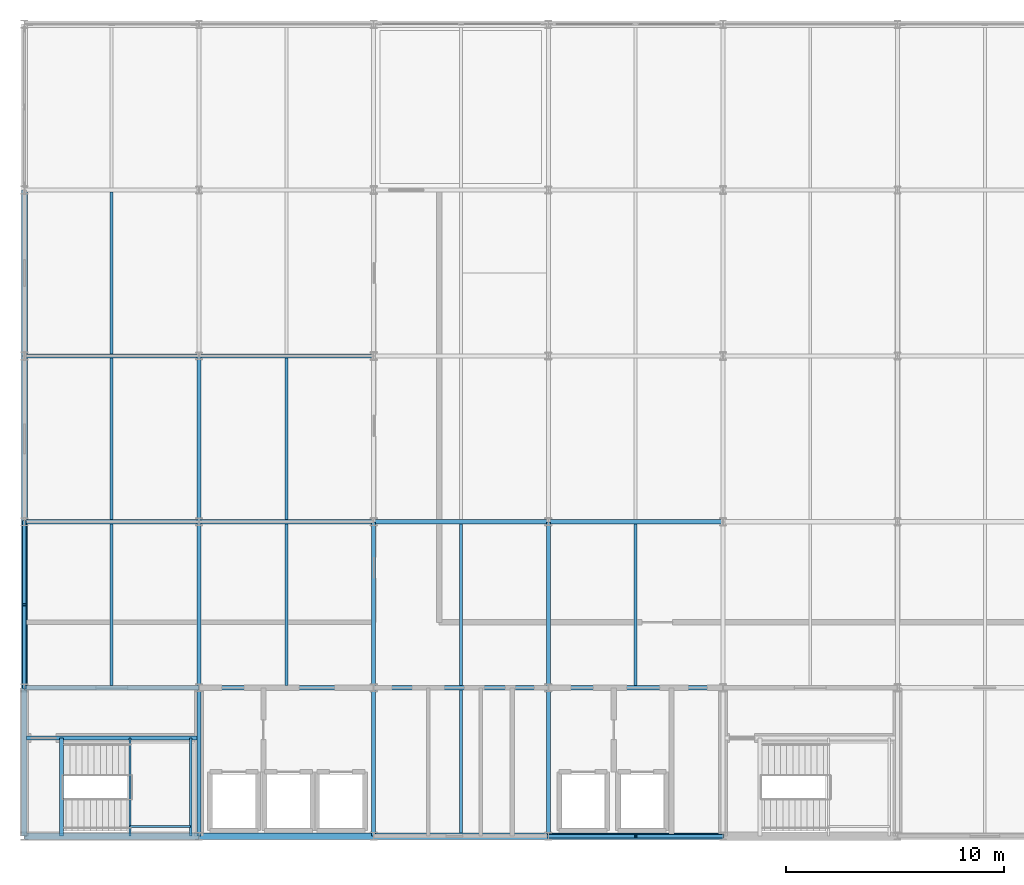
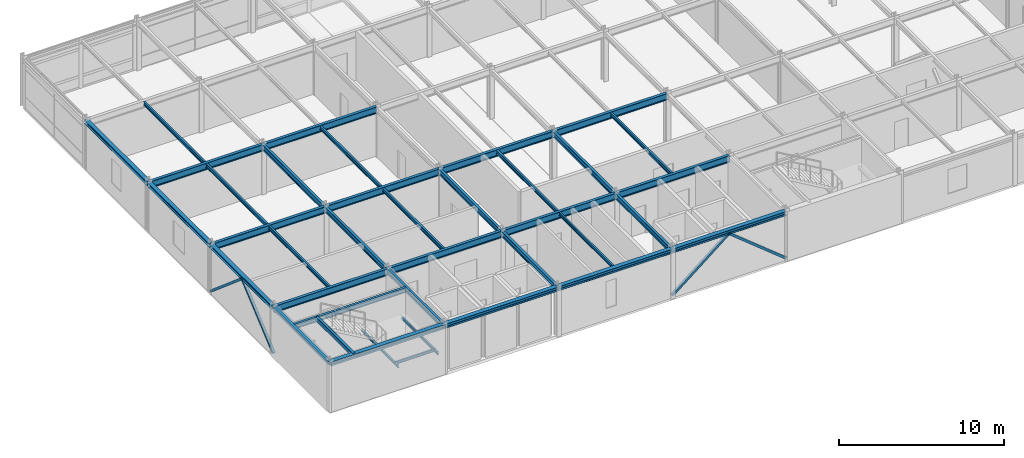
# One storey, part 4 of 16: 38 beams, 4 members.
"""IFC4 building model written with IfcOpenShell, lengths in metres."""

from ifc_helpers import new_model, si_unit, direction, frame, origin, origin_2d, place, context, subcontext, project, spatial, hollow_rectangle, i_section, extrude, material, material_profile, profile_set, type_object, element, save


model = new_model("IFC4")

# Units and contexts
model_context = context("Model", 3, precision=1e-05, world=origin(), true_north=direction((0.0, 1.0)))
body_context = subcontext(model_context, "Body", "Model", "MODEL_VIEW")
ifc_project = project(units=[si_unit("LENGTHUNIT", "METRE"), si_unit("AREAUNIT", "SQUARE_METRE"), si_unit("VOLUMEUNIT", "CUBIC_METRE"), si_unit("PLANEANGLEUNIT", "RADIAN"), si_unit("MASSUNIT", "GRAM", prefix="KILO")], contexts=[model_context])

# Site, building, storey
site_placement = place(None, origin())
site = spatial("IfcSite", under=ifc_project, at=site_placement, CompositionType="ELEMENT")
building_placement = place(site_placement, origin())
building = spatial("IfcBuilding", under=site, at=building_placement, Name="Shalkamar Park Central Library", CompositionType="ELEMENT")
storey_placement = place(building_placement, frame((0.0, 0.0, 43.800048828125)))
storey = spatial("IfcBuildingStorey", under=building, at=storey_placement, Name="L11", CompositionType="ELEMENT", Elevation=43.800048828125)

# Beams
ifc_material = material(Name="Steel S355", Category="steel")
ifc_material_profile_1 = material_profile(ifc_material, i_section(OverallWidth=0.10009765625, OverallDepth=0.199951171875, WebThickness=0.005615234375, FlangeThickness=0.008544921875, FilletRadius=0.011962890625, at=origin_2d()), Name="IPE 200")
ifc_profile_set_1 = profile_set([ifc_material_profile_1], Name="Steel S355")
beam_type_1 = type_object("IfcBeamType", Name="Composite Floor Joist IPE200", PredefinedType="JOIST", material=ifc_profile_set_1)
for number, where, z_axis, x_axis, name in (
    (1, (169.840087890625, 248.39990234375, 1.570068359375), (0.0, 1.0, 0.0), (-1.0, 0.0, 0.0), "Stair Half-Landing Beam ST-T1-L11-1"),
    (2, (172.6201171875, 248.39990234375, 1.570068359375), (0.0, 1.0, 0.0), (-1.0, 0.0, 0.0), "Stair Half-Landing Beam ST-T1-L11-2"),
):
    element("IfcBeam", number, at=place(storey_placement, frame(where, z_axis=z_axis, x_axis=x_axis)), inside=storey, type_object=beam_type_1, Name=name, PredefinedType="JOIST", context=body_context, shape_type="SweptSolid", body=[
        extrude(i_section(OverallWidth=0.10009765625, OverallDepth=0.199951171875, WebThickness=0.005615234375, FlangeThickness=0.008544921875, FilletRadius=0.011962890625, at=origin_2d()), origin(), (0.0, 0.0, 1.0), 4.5),
    ])
beam_1_placement = place(storey_placement, frame((169.840087890625, 248.85009765625, 1.570068359375), z_axis=(1.0, 0.0, 0.0), x_axis=(0.0, 1.0, 0.0)))
element("IfcBeam", 3, at=beam_1_placement, inside=storey, type_object=beam_type_1, Name="Stair Half-Landing Cross Tie ST-T1-L11-3", PredefinedType="JOIST", context=body_context, shape_type="SweptSolid", body=[
    extrude(i_section(OverallWidth=0.10009765625, OverallDepth=0.199951171875, WebThickness=0.005615234375, FlangeThickness=0.008544921875, FilletRadius=0.011962890625, at=origin_2d()), origin(), (0.0, 0.0, 1.0), 2.780029296875),
])
ifc_material_profile_2 = material_profile(ifc_material, i_section(OverallWidth=0.1201171875, OverallDepth=0.239990234375, WebThickness=0.006103515625, FlangeThickness=0.009765625, FilletRadius=0.014892578125, at=origin_2d()), Name="IPE 240")
ifc_profile_set_2 = profile_set([ifc_material_profile_2], Name="Steel S355")
beam_type_2 = type_object("IfcBeamType", Name="Composite Floor Joist IPE240", PredefinedType="JOIST", material=ifc_profile_set_2)
beam_2_placement = place(storey_placement, frame((185.0, 248.548095703125, 3.56005859375), z_axis=(0.0, 1.0, 0.0), x_axis=(-1.0, 0.0, 0.0)))
element("IfcBeam", 4, at=beam_2_placement, inside=storey, type_object=beam_type_2, Name="Composite Joist 09/B-1 (L11)", PredefinedType="JOIST", context=body_context, shape_type="SweptSolid", body=[
    extrude(i_section(OverallWidth=0.1201171875, OverallDepth=0.239990234375, WebThickness=0.006103515625, FlangeThickness=0.009765625, FilletRadius=0.014892578125, at=origin_2d()), origin(), (0.0, 0.0, 1.0), 6.553955078125),
])
ifc_material_profile_3 = material_profile(ifc_material, i_section(OverallWidth=0.135009765625, OverallDepth=0.27001953125, WebThickness=0.006591796875, FlangeThickness=0.01025390625, FilletRadius=0.014892578125, at=origin_2d()), Name="IPE 270")
ifc_profile_set_3 = profile_set([ifc_material_profile_3], Name="Steel S355")
beam_type_3 = type_object("IfcBeamType", Name="Composite Floor Joist IPE270", PredefinedType="JOIST", material=ifc_profile_set_3)
beam_3_placement = place(storey_placement, frame((169.0, 255.298095703125, 3.544921875), z_axis=(0.0, 1.0, 0.0), x_axis=(-1.0, 0.0, 0.0)))
element("IfcBeam", 5, at=beam_3_placement, inside=storey, type_object=beam_type_3, Name="Composite Joist 07/C-1 (L11)", PredefinedType="JOIST", context=body_context, shape_type="SweptSolid", body=[
    extrude(i_section(OverallWidth=0.135009765625, OverallDepth=0.27001953125, WebThickness=0.006591796875, FlangeThickness=0.01025390625, FilletRadius=0.014892578125, at=origin_2d()), origin(), (0.0, 0.0, 1.0), 7.40380859375),
])
for number, where, z_axis, x_axis, name in (
    (6, (169.0, 262.89794921875, 3.544921875), (0.0, 1.0, 0.0), (-1.0, 0.0, 0.0), "Composite Joist 07/D-1 (L11)"),
    (7, (169.0, 270.498046875, 3.544921875), (0.0, 1.0, 0.0), (-1.0, 0.0, 0.0), "Composite Joist 07/E-1 (L11)"),
):
    element("IfcBeam", number, at=place(storey_placement, frame(where, z_axis=z_axis, x_axis=x_axis)), inside=storey, type_object=beam_type_3, Name=name, PredefinedType="JOIST", context=body_context, shape_type="SweptSolid", body=[
        extrude(i_section(OverallWidth=0.135009765625, OverallDepth=0.27001953125, WebThickness=0.006591796875, FlangeThickness=0.01025390625, FilletRadius=0.014892578125, at=origin_2d()), origin(), (0.0, 0.0, 1.0), 7.404052734375),
    ])
beam_4_placement = place(storey_placement, frame((177.0, 255.298095703125, 3.544921875), z_axis=(0.0, 1.0, 0.0), x_axis=(-1.0, 0.0, 0.0)))
element("IfcBeam", 8, at=beam_4_placement, inside=storey, type_object=beam_type_3, Name="Composite Joist 08/C-1 (L11)", PredefinedType="JOIST", context=body_context, shape_type="SweptSolid", body=[
    extrude(i_section(OverallWidth=0.135009765625, OverallDepth=0.27001953125, WebThickness=0.006591796875, FlangeThickness=0.01025390625, FilletRadius=0.014892578125, at=origin_2d()), origin(), (0.0, 0.0, 1.0), 7.40380859375),
])
beam_5_placement = place(storey_placement, frame((177.0, 262.89794921875, 3.544921875), z_axis=(0.0, 1.0, 0.0), x_axis=(-1.0, 0.0, 0.0)))
element("IfcBeam", 9, at=beam_5_placement, inside=storey, type_object=beam_type_3, Name="Composite Joist 08/D-1 (L11)", PredefinedType="JOIST", context=body_context, shape_type="SweptSolid", body=[
    extrude(i_section(OverallWidth=0.135009765625, OverallDepth=0.27001953125, WebThickness=0.006591796875, FlangeThickness=0.01025390625, FilletRadius=0.014892578125, at=origin_2d()), origin(), (0.0, 0.0, 1.0), 7.404052734375),
])
for number, where, z_axis, x_axis, name in (
    (10, (185.0, 255.298095703125, 3.544921875), (0.0, 1.0, 0.0), (-1.0, 0.0, 0.0), "Composite Joist 09/C-1 (L11)"),
    (11, (193.0, 255.298095703125, 3.544921875), (0.0, 1.0, 0.0), (-1.0, 0.0, 0.0), "Composite Joist 10/C-1 (L11)"),
):
    element("IfcBeam", number, at=place(storey_placement, frame(where, z_axis=z_axis, x_axis=x_axis)), inside=storey, type_object=beam_type_3, Name=name, PredefinedType="JOIST", context=body_context, shape_type="SweptSolid", body=[
        extrude(i_section(OverallWidth=0.135009765625, OverallDepth=0.27001953125, WebThickness=0.006591796875, FlangeThickness=0.01025390625, FilletRadius=0.014892578125, at=origin_2d()), origin(), (0.0, 0.0, 1.0), 7.40380859375),
    ])

# Members
ifc_material_profile_4 = material_profile(ifc_material, hollow_rectangle(XDim=0.179931640625, YDim=0.179931640625, WallThickness=0.010009765625, InnerFilletRadius=0.010009765625, OuterFilletRadius=0.014892578125, at=origin_2d()), Name="SHS 180x180x10")
ifc_profile_set_4 = profile_set([ifc_material_profile_4], Name="Steel S355")
member_type = type_object("IfcMemberType", Name="Diagonal Brace SHS180", PredefinedType="BRACE", material=ifc_profile_set_4)
for number, where, z_axis, x_axis, name in (
    (12, (165.0, 255.199951171875, 0.14990234375), (0.0, 0.761945356857, 0.647641315208), (-1.0, 0.0, 0.0), "Chevron Brace TW-W Leg A (L11)"),
    (13, (165.0, 262.800048828125, 0.14990234375), (0.0, -0.761945356857, 0.647641315208), (1.0, 0.0, 0.0), "Chevron Brace TW-W Leg B (L11)"),
):
    element("IfcMember", number, at=place(storey_placement, frame(where, z_axis=z_axis, x_axis=x_axis)), inside=storey, type_object=member_type, Name=name, PredefinedType="BRACE", context=body_context, shape_type="SweptSolid", body=[
        extrude(hollow_rectangle(XDim=0.179931640625, YDim=0.179931640625, WallThickness=0.010009765625, InnerFilletRadius=0.010009765625, OuterFilletRadius=0.014892578125, at=origin_2d()), origin(), (0.0, 0.0, 1.0), 4.9873046875),
    ])
for number, where, z_axis, x_axis, name in (
    (14, (189.0, 248.39990234375, 0.14990234375), (0.778016166517, 0.0, 0.628244255555), (0.0, 1.0, 0.0), "Chevron Brace TW-S Leg A (L11)"),
    (15, (197.0, 248.39990234375, 0.14990234375), (-0.778016166517, 0.0, 0.628244255555), (0.0, -1.0, 0.0), "Chevron Brace TW-S Leg B (L11)"),
):
    element("IfcMember", number, at=place(storey_placement, frame(where, z_axis=z_axis, x_axis=x_axis)), inside=storey, type_object=member_type, Name=name, PredefinedType="BRACE", context=body_context, shape_type="SweptSolid", body=[
        extrude(hollow_rectangle(XDim=0.179931640625, YDim=0.179931640625, WallThickness=0.010009765625, InnerFilletRadius=0.010009765625, OuterFilletRadius=0.014892578125, at=origin_2d()), origin(), (0.0, 0.0, 1.0), 5.141357421875),
    ])

# Beams
ifc_material_profile_5 = material_profile(ifc_material, i_section(OverallWidth=0.239990234375, OverallDepth=0.22998046875, WebThickness=0.007568359375, FlangeThickness=0.011962890625, FilletRadius=0.02099609375, at=origin_2d()), Name="HEA 240")
ifc_profile_set_5 = profile_set([ifc_material_profile_5], Name="Steel S355")
beam_type_4 = type_object("IfcBeamType", Name="Perimeter Spandrel Beam HEA240", PredefinedType="SPANDREL", material=ifc_profile_set_5)
beam_6_placement = place(storey_placement, frame((165.0, 248.39990234375, 3.56494140625), z_axis=(0.0, 1.0, 0.0), x_axis=(-1.0, 0.0, 0.0)))
element("IfcBeam", 16, at=beam_6_placement, inside=storey, type_object=beam_type_4, Name="Beam 07:B-C (L11)", PredefinedType="SPANDREL", context=body_context, shape_type="SweptSolid", body=[
    extrude(i_section(OverallWidth=0.239990234375, OverallDepth=0.22998046875, WebThickness=0.007568359375, FlangeThickness=0.011962890625, FilletRadius=0.02099609375, at=origin_2d()), origin(), (0.0, 0.0, 1.0), 6.800048828125),
])
ifc_material_profile_6 = material_profile(ifc_material, i_section(OverallWidth=0.280029296875, OverallDepth=0.27001953125, WebThickness=0.008056640625, FlangeThickness=0.012939453125, FilletRadius=0.02392578125, at=origin_2d()), Name="HEA 280")
ifc_profile_set_6 = profile_set([ifc_material_profile_6], Name="Steel S355")
beam_type_5 = type_object("IfcBeamType", Name="Perimeter Spandrel Beam HEA280", PredefinedType="SPANDREL", material=ifc_profile_set_6)
beam_7_placement = place(storey_placement, frame((165.0, 255.199951171875, 3.544921875), z_axis=(0.0, 1.0, 0.0), x_axis=(-1.0, 0.0, 0.0)))
element("IfcBeam", 17, at=beam_7_placement, inside=storey, type_object=beam_type_5, Name="Beam 07:C-D (L11)", PredefinedType="SPANDREL", context=body_context, shape_type="SweptSolid", body=[
    extrude(i_section(OverallWidth=0.280029296875, OverallDepth=0.27001953125, WebThickness=0.008056640625, FlangeThickness=0.012939453125, FilletRadius=0.02392578125, at=origin_2d()), origin(), (0.0, 0.0, 1.0), 7.60009765625),
])
beam_8_placement = place(storey_placement, frame((165.0, 262.800048828125, 3.544921875), z_axis=(0.0, 1.0, 0.0), x_axis=(-1.0, 0.0, 0.0)))
element("IfcBeam", 18, at=beam_8_placement, inside=storey, type_object=beam_type_5, Name="Beam 07:D-E (L11)", PredefinedType="SPANDREL", context=body_context, shape_type="SweptSolid", body=[
    extrude(i_section(OverallWidth=0.280029296875, OverallDepth=0.27001953125, WebThickness=0.008056640625, FlangeThickness=0.012939453125, FilletRadius=0.02392578125, at=origin_2d()), origin(), (0.0, 0.0, 1.0), 7.599853515625),
])
beam_9_placement = place(storey_placement, frame((165.0, 270.39990234375, 3.544921875), z_axis=(0.0, 1.0, 0.0), x_axis=(-1.0, 0.0, 0.0)))
element("IfcBeam", 19, at=beam_9_placement, inside=storey, type_object=beam_type_5, Name="Beam 07:E-F (L11)", PredefinedType="SPANDREL", context=body_context, shape_type="SweptSolid", body=[
    extrude(i_section(OverallWidth=0.280029296875, OverallDepth=0.27001953125, WebThickness=0.008056640625, FlangeThickness=0.012939453125, FilletRadius=0.02392578125, at=origin_2d()), origin(), (0.0, 0.0, 1.0), 7.60009765625),
])
ifc_material_profile_7 = material_profile(ifc_material, i_section(OverallWidth=0.300048828125, OverallDepth=0.31005859375, WebThickness=0.009033203125, FlangeThickness=0.015380859375, FilletRadius=0.027099609375, at=origin_2d()), Name="HEA 320")
ifc_profile_set_7 = profile_set([ifc_material_profile_7], Name="Steel S355")
beam_type_6 = type_object("IfcBeamType", Name="Perimeter Spandrel Beam HEA320", PredefinedType="SPANDREL", material=ifc_profile_set_7)
for number, where, z_axis, x_axis, name in (
    (20, (165.0, 248.39990234375, 3.52490234375), (1.0, 0.0, 0.0), (0.0, 1.0, 0.0), "Beam B:07-08 (L11)"),
    (21, (173.0, 248.39990234375, 3.52490234375), (1.0, 0.0, 0.0), (0.0, 1.0, 0.0), "Beam B:08-09 (L11)"),
    (22, (181.0, 248.39990234375, 3.52490234375), (1.0, 0.0, 0.0), (0.0, 1.0, 0.0), "Beam B:09-10 (L11)"),
    (23, (189.0, 248.39990234375, 3.52490234375), (1.0, 0.0, 0.0), (0.0, 1.0, 0.0), "Beam B:10-11 (L11)"),
):
    element("IfcBeam", number, at=place(storey_placement, frame(where, z_axis=z_axis, x_axis=x_axis)), inside=storey, type_object=beam_type_6, Name=name, PredefinedType="SPANDREL", context=body_context, shape_type="SweptSolid", body=[
        extrude(i_section(OverallWidth=0.300048828125, OverallDepth=0.31005859375, WebThickness=0.009033203125, FlangeThickness=0.015380859375, FilletRadius=0.027099609375, at=origin_2d()), origin(), (0.0, 0.0, 1.0), 8.0),
    ])
ifc_material_profile_8 = material_profile(ifc_material, i_section(OverallWidth=0.169921875, OverallDepth=0.360107421875, WebThickness=0.008056640625, FlangeThickness=0.0126953125, FilletRadius=0.01806640625, at=origin_2d()), Name="IPE 360")
ifc_profile_set_8 = profile_set([ifc_material_profile_8], Name="Steel S355")
beam_type_7 = type_object("IfcBeamType", Name="Primary Girder IPE360", PredefinedType="BEAM", material=ifc_profile_set_8)
beam_10_placement = place(storey_placement, frame((165.087890625, 252.89990234375, 3.5), z_axis=(1.0, 0.0, 0.0), x_axis=(0.0, 1.0, 0.0)))
element("IfcBeam", 24, at=beam_10_placement, inside=storey, type_object=beam_type_7, Name="CORE-T1 Stairwell Divider Beam (L11)", PredefinedType="BEAM", context=body_context, shape_type="SweptSolid", body=[
    extrude(i_section(OverallWidth=0.169921875, OverallDepth=0.360107421875, WebThickness=0.008056640625, FlangeThickness=0.0126953125, FilletRadius=0.01806640625, at=origin_2d()), origin(), (0.0, 0.0, 1.0), 7.82421875),
])
ifc_material_profile_9 = material_profile(ifc_material, i_section(OverallWidth=0.179931640625, OverallDepth=0.39990234375, WebThickness=0.008544921875, FlangeThickness=0.013427734375, FilletRadius=0.02099609375, at=origin_2d()), Name="IPE 400")
ifc_profile_set_9 = profile_set([ifc_material_profile_9], Name="Steel S355")
beam_type_8 = type_object("IfcBeamType", Name="Primary Girder IPE400", PredefinedType="BEAM", material=ifc_profile_set_9)
beam_11_placement = place(storey_placement, frame((173.0, 248.39990234375, 3.47998046875), z_axis=(0.0, 1.0, 0.0), x_axis=(-1.0, 0.0, 0.0)))
element("IfcBeam", 25, at=beam_11_placement, inside=storey, type_object=beam_type_8, Name="Beam 08:B-C (L11)", PredefinedType="BEAM", context=body_context, shape_type="SweptSolid", body=[
    extrude(i_section(OverallWidth=0.179931640625, OverallDepth=0.39990234375, WebThickness=0.008544921875, FlangeThickness=0.013427734375, FilletRadius=0.02099609375, at=origin_2d()), origin(), (0.0, 0.0, 1.0), 6.800048828125),
])
beam_12_placement = place(storey_placement, frame((173.0, 255.199951171875, 3.47998046875), z_axis=(0.0, 1.0, 0.0), x_axis=(-1.0, 0.0, 0.0)))
element("IfcBeam", 26, at=beam_12_placement, inside=storey, type_object=beam_type_8, Name="Beam 08:C-D (L11)", PredefinedType="BEAM", context=body_context, shape_type="SweptSolid", body=[
    extrude(i_section(OverallWidth=0.179931640625, OverallDepth=0.39990234375, WebThickness=0.008544921875, FlangeThickness=0.013427734375, FilletRadius=0.02099609375, at=origin_2d()), origin(), (0.0, 0.0, 1.0), 7.60009765625),
])
beam_13_placement = place(storey_placement, frame((173.0, 262.800048828125, 3.47998046875), z_axis=(0.0, 1.0, 0.0), x_axis=(-1.0, 0.0, 0.0)))
element("IfcBeam", 27, at=beam_13_placement, inside=storey, type_object=beam_type_8, Name="Beam 08:D-E (L11)", PredefinedType="BEAM", context=body_context, shape_type="SweptSolid", body=[
    extrude(i_section(OverallWidth=0.179931640625, OverallDepth=0.39990234375, WebThickness=0.008544921875, FlangeThickness=0.013427734375, FilletRadius=0.02099609375, at=origin_2d()), origin(), (0.0, 0.0, 1.0), 7.599853515625),
])
beam_14_placement = place(storey_placement, frame((181.0, 248.39990234375, 3.47998046875), z_axis=(0.0, 1.0, 0.0), x_axis=(-1.0, 0.0, 0.0)))
element("IfcBeam", 28, at=beam_14_placement, inside=storey, type_object=beam_type_8, Name="Beam 09:B-C (L11)", PredefinedType="BEAM", context=body_context, shape_type="SweptSolid", body=[
    extrude(i_section(OverallWidth=0.179931640625, OverallDepth=0.39990234375, WebThickness=0.008544921875, FlangeThickness=0.013427734375, FilletRadius=0.02099609375, at=origin_2d()), origin(), (0.0, 0.0, 1.0), 6.800048828125),
])
beam_15_placement = place(storey_placement, frame((181.0, 255.199951171875, 3.47998046875), z_axis=(0.0, 1.0, 0.0), x_axis=(-1.0, 0.0, 0.0)))
element("IfcBeam", 29, at=beam_15_placement, inside=storey, type_object=beam_type_8, Name="Beam 09:C-D (L11)", PredefinedType="BEAM", context=body_context, shape_type="SweptSolid", body=[
    extrude(i_section(OverallWidth=0.179931640625, OverallDepth=0.39990234375, WebThickness=0.008544921875, FlangeThickness=0.013427734375, FilletRadius=0.02099609375, at=origin_2d()), origin(), (0.0, 0.0, 1.0), 7.60009765625),
])
beam_16_placement = place(storey_placement, frame((189.0, 248.39990234375, 3.47998046875), z_axis=(0.0, 1.0, 0.0), x_axis=(-1.0, 0.0, 0.0)))
element("IfcBeam", 30, at=beam_16_placement, inside=storey, type_object=beam_type_8, Name="Beam 10:B-C (L11)", PredefinedType="BEAM", context=body_context, shape_type="SweptSolid", body=[
    extrude(i_section(OverallWidth=0.179931640625, OverallDepth=0.39990234375, WebThickness=0.008544921875, FlangeThickness=0.013427734375, FilletRadius=0.02099609375, at=origin_2d()), origin(), (0.0, 0.0, 1.0), 6.800048828125),
])
beam_17_placement = place(storey_placement, frame((189.0, 255.199951171875, 3.47998046875), z_axis=(0.0, 1.0, 0.0), x_axis=(-1.0, 0.0, 0.0)))
element("IfcBeam", 31, at=beam_17_placement, inside=storey, type_object=beam_type_8, Name="Beam 10:C-D (L11)", PredefinedType="BEAM", context=body_context, shape_type="SweptSolid", body=[
    extrude(i_section(OverallWidth=0.179931640625, OverallDepth=0.39990234375, WebThickness=0.008544921875, FlangeThickness=0.013427734375, FilletRadius=0.02099609375, at=origin_2d()), origin(), (0.0, 0.0, 1.0), 7.60009765625),
])
ifc_material_profile_10 = material_profile(ifc_material, i_section(OverallWidth=0.199951171875, OverallDepth=0.5, WebThickness=0.01025390625, FlangeThickness=0.01611328125, FilletRadius=0.02099609375, at=origin_2d()), Name="IPE 500")
ifc_profile_set_10 = profile_set([ifc_material_profile_10], Name="Steel S355")
beam_type_9 = type_object("IfcBeamType", Name="Primary Girder IPE500", PredefinedType="BEAM", material=ifc_profile_set_10)
for number, where, z_axis, x_axis, name in (
    (32, (165.0, 255.199951171875, 3.429931640625), (1.0, 0.0, 0.0), (0.0, 1.0, 0.0), "Beam C:07-08 (L11)"),
    (33, (173.0, 255.199951171875, 3.429931640625), (1.0, 0.0, 0.0), (0.0, 1.0, 0.0), "Beam C:08-09 (L11)"),
    (34, (181.0, 255.199951171875, 3.429931640625), (1.0, 0.0, 0.0), (0.0, 1.0, 0.0), "Beam C:09-10 (L11)"),
    (35, (189.0, 255.199951171875, 3.429931640625), (1.0, 0.0, 0.0), (0.0, 1.0, 0.0), "Beam C:10-11 (L11)"),
    (36, (165.0, 262.800048828125, 3.429931640625), (1.0, 0.0, 0.0), (0.0, 1.0, 0.0), "Beam D:07-08 (L11)"),
    (37, (173.0, 262.800048828125, 3.429931640625), (1.0, 0.0, 0.0), (0.0, 1.0, 0.0), "Beam D:08-09 (L11)"),
    (38, (181.0, 262.800048828125, 3.429931640625), (1.0, 0.0, 0.0), (0.0, 1.0, 0.0), "Beam D:09-10 (L11)"),
    (39, (189.0, 262.800048828125, 3.429931640625), (1.0, 0.0, 0.0), (0.0, 1.0, 0.0), "Beam D:10-11 (L11)"),
    (40, (165.0, 270.39990234375, 3.429931640625), (1.0, 0.0, 0.0), (0.0, 1.0, 0.0), "Beam E:07-08 (L11)"),
    (41, (173.0, 270.39990234375, 3.429931640625), (1.0, 0.0, 0.0), (0.0, 1.0, 0.0), "Beam E:08-09 (L11)"),
):
    element("IfcBeam", number, at=place(storey_placement, frame(where, z_axis=z_axis, x_axis=x_axis)), inside=storey, type_object=beam_type_9, Name=name, PredefinedType="BEAM", context=body_context, shape_type="SweptSolid", body=[
        extrude(i_section(OverallWidth=0.199951171875, OverallDepth=0.5, WebThickness=0.01025390625, FlangeThickness=0.01611328125, FilletRadius=0.02099609375, at=origin_2d()), origin(), (0.0, 0.0, 1.0), 8.0),
    ])
ifc_material_profile_11 = material_profile(ifc_material, hollow_rectangle(XDim=0.199951171875, YDim=0.300048828125, WallThickness=0.011962890625, InnerFilletRadius=0.011962890625, OuterFilletRadius=0.01806640625, at=origin_2d()), Name="RHS 300x200x12")
ifc_profile_set_11 = profile_set([ifc_material_profile_11], Name="Steel S355")
beam_type_10 = type_object("IfcBeamType", Name="Stair Trimmer Box RHS300x200", PredefinedType="BEAM", material=ifc_profile_set_11)
beam_18_placement = place(storey_placement, frame((166.699951171875, 248.39990234375, 3.530029296875), z_axis=(0.0, 1.0, 0.0), x_axis=(-1.0, 0.0, 0.0)))
element("IfcBeam", 42, at=beam_18_placement, inside=storey, type_object=beam_type_10, Name="Stair Arrival Trimmer Girder ST-T1-L11", PredefinedType="BEAM", context=body_context, shape_type="SweptSolid", body=[
    extrude(hollow_rectangle(XDim=0.199951171875, YDim=0.300048828125, WallThickness=0.011962890625, InnerFilletRadius=0.011962890625, OuterFilletRadius=0.01806640625, at=origin_2d()), origin(), (0.0, 0.0, 1.0), 4.5),
])

save(model, "model.ifc")
